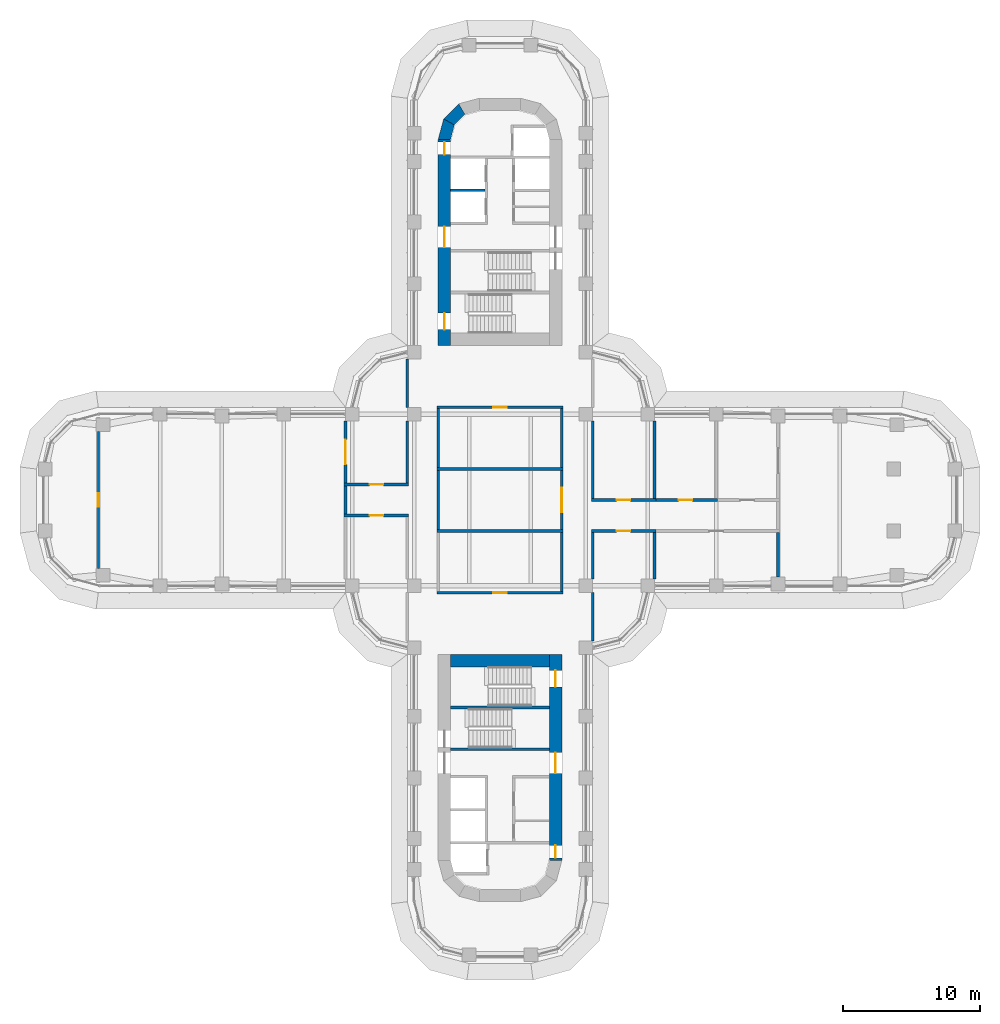
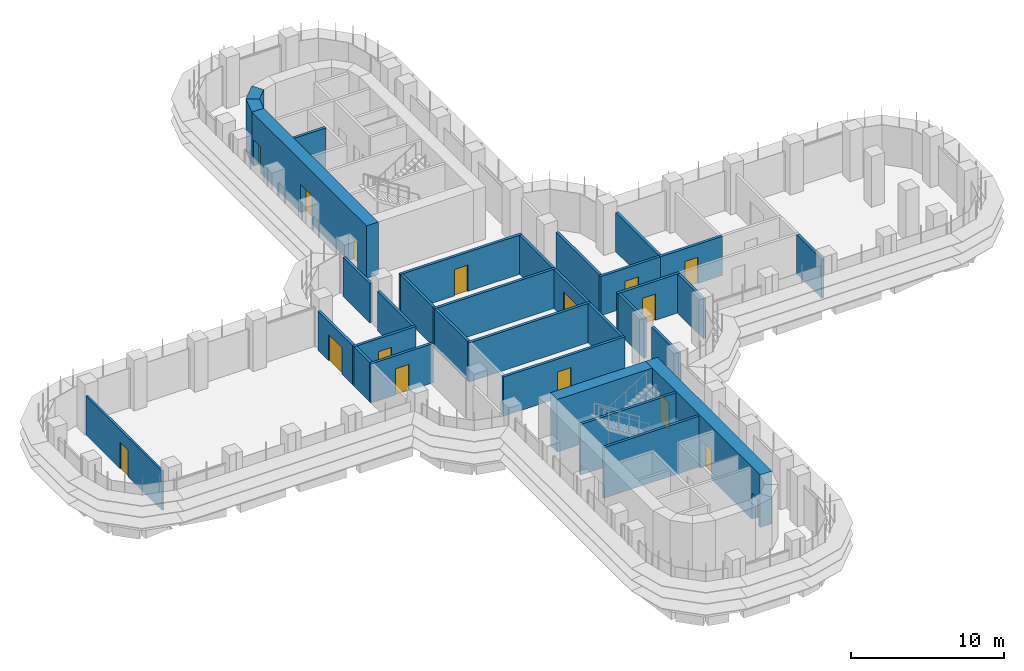
# One storey, part 17 of 23: 33 walls, 16 doors, 16 openings.
"""IFC4 building model written with IfcOpenShell, lengths in metres."""

from ifc_helpers import new_model, si_unit, direction, frame, frame_2d, origin, place, context, subcontext, project, spatial, polyline, rectangle, outline, extrude, material, layer, layer_set, type_object, element, fill, save


model = new_model("IFC4")

# Units and contexts
model_context = context("Model", 3, precision=1e-05, world=origin(), true_north=direction((0.0, 1.0)))
body_context = subcontext(model_context, "Body", "Model", "MODEL_VIEW")
ifc_project = project(units=[si_unit("LENGTHUNIT", "METRE"), si_unit("AREAUNIT", "SQUARE_METRE"), si_unit("VOLUMEUNIT", "CUBIC_METRE"), si_unit("PLANEANGLEUNIT", "RADIAN"), si_unit("MASSUNIT", "GRAM", prefix="KILO")], contexts=[model_context])

# Site, building, storey
site_placement = place(None, origin())
site = spatial("IfcSite", under=ifc_project, at=site_placement, CompositionType="ELEMENT")
building_placement = place(site_placement, origin())
building = spatial("IfcBuilding", under=site, at=building_placement, Name="Zarbagh Exchange Tower", CompositionType="ELEMENT")
storey_placement = place(building_placement, frame((0.0, 0.0, 73.199951171875)))
storey = spatial("IfcBuildingStorey", under=building, at=storey_placement, Name="L16", CompositionType="ELEMENT", Elevation=73.199951171875)

# Wall, opening, door
ifc_material_1 = material(Name="Plasterboard partition")
ifc_layer_1 = layer(ifc_material_1, 0.14990234375)
ifc_layer_set_1 = layer_set([ifc_layer_1], Name="PARTITION 150")
wall_type_1 = type_object("IfcWallType", Name="PARTITION 150", PredefinedType="PARTITIONING", material=ifc_layer_set_1)
wall_1_placement = place(storey_placement, frame((-29.25, -4.97509765625, 0.0), z_axis=(0.0, 0.0, 1.0), x_axis=(0.0, 1.0, 0.0)))
wall_1 = element("IfcWall", 1, at=wall_1_placement, inside=storey, type_object=wall_type_1, Name="Partition W-535", PredefinedType="PARTITIONING", context=body_context, shape_type="SweptSolid", body=[
    extrude(rectangle(XDim=9.9501953125, YDim=0.14990234375, at=frame_2d((4.97509765625, 0.0))), origin(), (0.0, 0.0, 1.0), 3.130615234375),
])
opening_1_placement = place(wall_1_placement, frame((4.47509765625, 0.0, 0.0)))
opening_1 = element("IfcOpeningElement", 2, at=opening_1_placement, cuts=wall_1, Name="Opening D-510", PredefinedType="OPENING", context=body_context, shape_type="SweptSolid", body=[
    extrude(rectangle(XDim=1.0, YDim=2.10009765625, at=frame_2d((0.5, 1.050048828125))), frame((0.0, 0.0849609375, 0.0), z_axis=(0.0, -1.0, 0.0), x_axis=(1.0, 0.0, 0.0)), (0.0, 0.0, 1.0), 0.169921875),
])
ifc_material_2 = material(Name="Timber door leaf", Category="wood")
door_type_1 = type_object("IfcDoorType", Name="DOOR 1000 X 2100", OperationType="NOTDEFINED", PredefinedType="DOOR", material=ifc_material_2)
door_1_placement = place(opening_1_placement, origin())
door_1 = element("IfcDoor", 3, at=door_1_placement, inside=storey, type_object=door_type_1, Name="Door D-510", OperationType="SINGLE_SWING_RIGHT", OverallHeight=2.10009765625, OverallWidth=1.0, PredefinedType="DOOR", context=body_context, shape_type="SweptSolid", body=[
    extrude(rectangle(XDim=1.0, YDim=2.10009765625, at=frame_2d((0.5, 1.050048828125))), frame((0.0, 0.02490234375, 0.0), z_axis=(0.0, -1.0, 0.0), x_axis=(1.0, 0.0, 0.0)), (0.0, 0.0, 1.0), 0.050048828125),
])
fill(opening_1, door_1)

# Walls
ifc_material_3 = material(Name="Fire-rated plasterboard partition")
ifc_layer_2 = layer(ifc_material_3, 0.199951171875)
ifc_layer_set_2 = layer_set([ifc_layer_2], Name="RATED PARTITION 200")
wall_type_2 = type_object("IfcWallType", Name="RATED PARTITION 200", PredefinedType="PARTITIONING", material=ifc_layer_set_2)
for number, where, z_axis, x_axis, name in (
    (4, (-4.5, 2.35009765625, 0.0), (0.0, 0.0, 1.0), (0.0, 1.0, 0.0), "Partition W-501"),
    (5, (-4.5, -2.14990234375, 0.0), (0.0, 0.0, 1.0), (0.0, 1.0, 0.0), "Partition W-502"),
):
    element("IfcWall", number, at=place(storey_placement, frame(where, z_axis=z_axis, x_axis=x_axis)), inside=storey, type_object=wall_type_2, Name=name, PredefinedType="PARTITIONING", context=body_context, shape_type="SweptSolid", body=[
        extrude(rectangle(XDim=4.2998046875, YDim=0.199951171875, at=frame_2d((2.14990234375, 0.0))), origin(), (0.0, 0.0, 1.0), 3.130615234375),
    ])
wall_2_placement = place(storey_placement, frame((-6.75, 1.22509765625, 0.0), z_axis=(0.0, 0.0, 1.0), x_axis=(0.0, 1.0, 0.0)))
element("IfcWall", 6, at=wall_2_placement, inside=storey, type_object=wall_type_2, Name="Partition W-504", PredefinedType="PARTITIONING", context=body_context, shape_type="SweptSolid", body=[
    extrude(rectangle(XDim=4.52490234375, YDim=0.199951171875, at=frame_2d((2.262451171875, 0.0))), origin(), (0.0, 0.0, 1.0), 3.130615234375),
])
wall_3_placement = place(storey_placement, frame((-6.75, 6.75, 0.0), z_axis=(0.0, 0.0, 1.0), x_axis=(0.0, 1.0, 0.0)))
element("IfcWall", 7, at=wall_3_placement, inside=storey, type_object=wall_type_2, Name="Partition W-505", PredefinedType="PARTITIONING", context=body_context, shape_type="SweptSolid", body=[
    extrude(rectangle(XDim=3.5, YDim=0.199951171875, at=frame_2d((1.75, 0.0))), origin(), (0.0, 0.0, 1.0), 3.130615234375),
])
wall_4_placement = place(storey_placement, frame((4.5, 2.35009765625, 0.0), z_axis=(0.0, 0.0, 1.0), x_axis=(0.0, 1.0, 0.0)))
element("IfcWall", 8, at=wall_4_placement, inside=storey, type_object=wall_type_2, Name="Partition W-508", PredefinedType="PARTITIONING", context=body_context, shape_type="SweptSolid", body=[
    extrude(rectangle(XDim=4.2998046875, YDim=0.199951171875, at=frame_2d((2.14990234375, 0.0))), origin(), (0.0, 0.0, 1.0), 3.130615234375),
])

# Wall, opening, door
wall_5_placement = place(storey_placement, frame((4.5, -2.14990234375, 0.0), z_axis=(0.0, 0.0, 1.0), x_axis=(0.0, 1.0, 0.0)))
wall_5 = element("IfcWall", 9, at=wall_5_placement, inside=storey, type_object=wall_type_2, Name="Partition W-509", PredefinedType="PARTITIONING", context=body_context, shape_type="SweptSolid", body=[
    extrude(rectangle(XDim=4.2998046875, YDim=0.199951171875, at=frame_2d((2.14990234375, 0.0))), origin(), (0.0, 0.0, 1.0), 3.130615234375),
])
opening_2_placement = place(wall_5_placement, frame((1.25, 0.0, 0.0)))
opening_2 = element("IfcOpeningElement", 10, at=opening_2_placement, cuts=wall_5, Name="Opening D-501", PredefinedType="OPENING", context=body_context, shape_type="SweptSolid", body=[
    extrude(rectangle(XDim=1.800048828125, YDim=2.10009765625, at=frame_2d((0.89990234375, 1.050048828125))), frame((0.0, 0.10986328125, 0.0), z_axis=(0.0, -1.0, 0.0), x_axis=(1.0, 0.0, 0.0)), (0.0, 0.0, 1.0), 0.219970703125),
])
ifc_material_4 = material(Name="Steel door set", Category="steel")
door_type_2 = type_object("IfcDoorType", Name="FIRE DOUBLE DOOR 1800 X 2100 FD30S", OperationType="DOUBLE_DOOR_SINGLE_SWING", PredefinedType="DOOR", material=ifc_material_4)
door_2_placement = place(opening_2_placement, origin())
door_2 = element("IfcDoor", 11, at=door_2_placement, inside=storey, type_object=door_type_2, Name="Door D-501", OperationType="DOUBLE_DOOR_SINGLE_SWING", OverallHeight=2.10009765625, OverallWidth=1.800048828125, PredefinedType="DOOR", context=body_context, shape_type="SweptSolid", body=[
    extrude(rectangle(XDim=1.800048828125, YDim=2.10009765625, at=frame_2d((0.89990234375, 1.050048828125))), frame((0.0, 0.02490234375, 0.0), z_axis=(0.0, -1.0, 0.0), x_axis=(1.0, 0.0, 0.0)), (0.0, 0.0, 1.0), 0.050048828125),
])
fill(opening_2, door_2)

# Walls
wall_6_placement = place(storey_placement, frame((4.5, -6.64990234375, 0.0), z_axis=(0.0, 0.0, 1.0), x_axis=(0.0, 1.0, 0.0)))
element("IfcWall", 12, at=wall_6_placement, inside=storey, type_object=wall_type_2, Name="Partition W-510", PredefinedType="PARTITIONING", context=body_context, shape_type="SweptSolid", body=[
    extrude(rectangle(XDim=4.2998046875, YDim=0.199951171875, at=frame_2d((2.14990234375, 0.0))), origin(), (0.0, 0.0, 1.0), 3.130615234375),
])
wall_7_placement = place(storey_placement, frame((6.75, 0.10009765625, 0.0), z_axis=(0.0, 0.0, 1.0), x_axis=(0.0, 1.0, 0.0)))
element("IfcWall", 13, at=wall_7_placement, inside=storey, type_object=wall_type_2, Name="Partition W-511", PredefinedType="PARTITIONING", context=body_context, shape_type="SweptSolid", body=[
    extrude(rectangle(XDim=5.64990234375, YDim=0.199951171875, at=frame_2d((2.824951171875, 0.0))), origin(), (0.0, 0.0, 1.0), 3.130615234375),
])
wall_8_placement = place(storey_placement, frame((6.75, -10.25, 0.0), z_axis=(0.0, 0.0, 1.0), x_axis=(0.0, 1.0, 0.0)))
element("IfcWall", 14, at=wall_8_placement, inside=storey, type_object=wall_type_2, Name="Partition W-513", PredefinedType="PARTITIONING", context=body_context, shape_type="SweptSolid", body=[
    extrude(rectangle(XDim=3.5, YDim=0.199951171875, at=frame_2d((1.75, 0.0))), origin(), (0.0, 0.0, 1.0), 3.130615234375),
])
wall_9_placement = place(storey_placement, frame((6.75, -5.75, 0.0), z_axis=(0.0, 0.0, 1.0), x_axis=(0.0, 1.0, 0.0)))
element("IfcWall", 15, at=wall_9_placement, inside=storey, type_object=wall_type_2, Name="Partition W-514", PredefinedType="PARTITIONING", context=body_context, shape_type="SweptSolid", body=[
    extrude(rectangle(XDim=3.39990234375, YDim=0.199951171875, at=frame_2d((1.699951171875, 0.0))), origin(), (0.0, 0.0, 1.0), 3.130615234375),
])

# Wall, opening, door
wall_10_placement = place(storey_placement, frame((4.60009765625, 6.75, 0.0), z_axis=(0.0, 0.0, 1.0), x_axis=(-1.0, 0.0, 0.0)))
wall_10 = element("IfcWall", 16, at=wall_10_placement, inside=storey, type_object=wall_type_2, Name="Partition W-515", PredefinedType="PARTITIONING", context=body_context, shape_type="SweptSolid", body=[
    extrude(rectangle(XDim=9.2001953125, YDim=0.199951171875, at=frame_2d((4.60009765625, 0.0))), origin(), (0.0, 0.0, 1.0), 3.130615234375),
])
opening_3_placement = place(wall_10_placement, frame((4.10009765625, 0.0, 0.0)))
opening_3 = element("IfcOpeningElement", 17, at=opening_3_placement, cuts=wall_10, Name="Opening D-502", PredefinedType="OPENING", context=body_context, shape_type="SweptSolid", body=[
    extrude(rectangle(XDim=1.0, YDim=2.10009765625, at=frame_2d((0.5, 1.050048828125))), frame((0.0, 0.10986328125, 0.0), z_axis=(0.0, -1.0, 0.0), x_axis=(1.0, 0.0, 0.0)), (0.0, 0.0, 1.0), 0.219970703125),
])
door_type_3 = type_object("IfcDoorType", Name="FIRE DOOR 1000 X 2100 FD30S", OperationType="NOTDEFINED", PredefinedType="DOOR", material=ifc_material_4)
door_3_placement = place(opening_3_placement, origin())
door_3 = element("IfcDoor", 18, at=door_3_placement, inside=storey, type_object=door_type_3, Name="Door D-502", OperationType="SINGLE_SWING_RIGHT", OverallHeight=2.10009765625, OverallWidth=1.0, PredefinedType="DOOR", context=body_context, shape_type="SweptSolid", body=[
    extrude(rectangle(XDim=1.0, YDim=2.10009765625, at=frame_2d((0.5, 1.050048828125))), frame((0.0, 0.02490234375, 0.0), z_axis=(0.0, -1.0, 0.0), x_axis=(1.0, 0.0, 0.0)), (0.0, 0.0, 1.0), 0.050048828125),
])
fill(opening_3, door_3)

wall_11_placement = place(storey_placement, frame((-4.60009765625, -6.75, 0.0), z_axis=(0.0, 0.0, 1.0), x_axis=(1.0, 0.0, 0.0)))
wall_11 = element("IfcWall", 19, at=wall_11_placement, inside=storey, type_object=wall_type_2, Name="Partition W-516", PredefinedType="PARTITIONING", context=body_context, shape_type="SweptSolid", body=[
    extrude(rectangle(XDim=9.2001953125, YDim=0.199951171875, at=frame_2d((4.60009765625, 0.0))), origin(), (0.0, 0.0, 1.0), 3.130615234375),
])
opening_4_placement = place(wall_11_placement, frame((4.10009765625, 0.0, 0.0)))
opening_4 = element("IfcOpeningElement", 20, at=opening_4_placement, cuts=wall_11, Name="Opening D-503", PredefinedType="OPENING", context=body_context, shape_type="SweptSolid", body=[
    extrude(rectangle(XDim=1.0, YDim=2.10009765625, at=frame_2d((0.5, 1.050048828125))), frame((0.0, 0.10986328125, 0.0), z_axis=(0.0, -1.0, 0.0), x_axis=(1.0, 0.0, 0.0)), (0.0, 0.0, 1.0), 0.219970703125),
])
door_4_placement = place(opening_4_placement, origin())
door_4 = element("IfcDoor", 21, at=door_4_placement, inside=storey, type_object=door_type_3, Name="Door D-503", OperationType="SINGLE_SWING_RIGHT", OverallHeight=2.10009765625, OverallWidth=1.0, PredefinedType="DOOR", context=body_context, shape_type="SweptSolid", body=[
    extrude(rectangle(XDim=1.0, YDim=2.10009765625, at=frame_2d((0.5, 1.050048828125))), frame((0.0, 0.02490234375, 0.0), z_axis=(0.0, -1.0, 0.0), x_axis=(1.0, 0.0, 0.0)), (0.0, 0.0, 1.0), 0.050048828125),
])
fill(opening_4, door_4)

# Walls
for number, where, z_axis, x_axis, name in (
    (22, (-4.60009765625, 2.25, 0.0), (0.0, 0.0, 1.0), (1.0, 0.0, 0.0), "Partition W-517"),
    (23, (-4.60009765625, -2.25, 0.0), (0.0, 0.0, 1.0), (1.0, 0.0, 0.0), "Partition W-518"),
):
    element("IfcWall", number, at=place(storey_placement, frame(where, z_axis=z_axis, x_axis=x_axis)), inside=storey, type_object=wall_type_2, Name=name, PredefinedType="PARTITIONING", context=body_context, shape_type="SweptSolid", body=[
        extrude(rectangle(XDim=9.2001953125, YDim=0.199951171875, at=frame_2d((4.60009765625, 0.0))), origin(), (0.0, 0.0, 1.0), 3.130615234375),
    ])

# Wall, opening, door
wall_12_placement = place(storey_placement, frame((6.64990234375, 0.0, 0.0), z_axis=(0.0, 0.0, 1.0), x_axis=(1.0, 0.0, 0.0)))
wall_12 = element("IfcWall", 24, at=wall_12_placement, inside=storey, type_object=wall_type_2, Name="Partition W-519", PredefinedType="PARTITIONING", context=body_context, shape_type="SweptSolid", body=[
    extrude(rectangle(XDim=4.7001953125, YDim=0.199951171875, at=frame_2d((2.35009765625, 0.0))), origin(), (0.0, 0.0, 1.0), 3.130615234375),
])
opening_5_placement = place(wall_12_placement, frame((1.85009765625, 0.0, 0.0)))
opening_5 = element("IfcOpeningElement", 25, at=opening_5_placement, cuts=wall_12, Name="Opening D-505", PredefinedType="OPENING", context=body_context, shape_type="SweptSolid", body=[
    extrude(rectangle(XDim=1.0, YDim=2.10009765625, at=frame_2d((0.5, 1.050048828125))), frame((0.0, 0.10986328125, 0.0), z_axis=(0.0, -1.0, 0.0), x_axis=(1.0, 0.0, 0.0)), (0.0, 0.0, 1.0), 0.219970703125),
])
door_5_placement = place(opening_5_placement, origin())
door_5 = element("IfcDoor", 26, at=door_5_placement, inside=storey, type_object=door_type_3, Name="Door D-505", OperationType="SINGLE_SWING_RIGHT", OverallHeight=2.10009765625, OverallWidth=1.0, PredefinedType="DOOR", context=body_context, shape_type="SweptSolid", body=[
    extrude(rectangle(XDim=1.0, YDim=2.10009765625, at=frame_2d((0.5, 1.050048828125))), frame((0.0, 0.02490234375, 0.0), z_axis=(0.0, -1.0, 0.0), x_axis=(1.0, 0.0, 0.0)), (0.0, 0.0, 1.0), 0.050048828125),
])
fill(opening_5, door_5)

wall_13_placement = place(storey_placement, frame((11.35009765625, -2.25, 0.0), z_axis=(0.0, 0.0, 1.0), x_axis=(-1.0, 0.0, 0.0)))
wall_13 = element("IfcWall", 27, at=wall_13_placement, inside=storey, type_object=wall_type_2, Name="Partition W-520", PredefinedType="PARTITIONING", context=body_context, shape_type="SweptSolid", body=[
    extrude(rectangle(XDim=4.7001953125, YDim=0.199951171875, at=frame_2d((2.35009765625, 0.0))), origin(), (0.0, 0.0, 1.0), 3.130615234375),
])
opening_6_placement = place(wall_13_placement, frame((1.85009765625, 0.0, 0.0)))
opening_6 = element("IfcOpeningElement", 28, at=opening_6_placement, cuts=wall_13, Name="Opening D-508", PredefinedType="OPENING", context=body_context, shape_type="SweptSolid", body=[
    extrude(rectangle(XDim=1.0, YDim=2.10009765625, at=frame_2d((0.5, 1.050048828125))), frame((0.0, 0.10986328125, 0.0), z_axis=(0.0, -1.0, 0.0), x_axis=(1.0, 0.0, 0.0)), (0.0, 0.0, 1.0), 0.219970703125),
])
door_6_placement = place(opening_6_placement, origin())
door_6 = element("IfcDoor", 29, at=door_6_placement, inside=storey, type_object=door_type_3, Name="Door D-508", OperationType="SINGLE_SWING_RIGHT", OverallHeight=2.10009765625, OverallWidth=1.0, PredefinedType="DOOR", context=body_context, shape_type="SweptSolid", body=[
    extrude(rectangle(XDim=1.0, YDim=2.10009765625, at=frame_2d((0.5, 1.050048828125))), frame((0.0, 0.02490234375, 0.0), z_axis=(0.0, -1.0, 0.0), x_axis=(1.0, 0.0, 0.0)), (0.0, 0.0, 1.0), 0.050048828125),
])
fill(opening_6, door_6)

wall_14_placement = place(storey_placement, frame((11.14990234375, 0.0, 0.0), z_axis=(0.0, 0.0, 1.0), x_axis=(1.0, 0.0, 0.0)))
wall_14 = element("IfcWall", 30, at=wall_14_placement, inside=storey, type_object=wall_type_2, Name="Partition W-521", PredefinedType="PARTITIONING", context=body_context, shape_type="SweptSolid", body=[
    extrude(rectangle(XDim=4.7001953125, YDim=0.199951171875, at=frame_2d((2.35009765625, 0.0))), origin(), (0.0, 0.0, 1.0), 3.130615234375),
])
opening_7_placement = place(wall_14_placement, frame((1.85009765625, 0.0, 0.0)))
opening_7 = element("IfcOpeningElement", 31, at=opening_7_placement, cuts=wall_14, Name="Opening D-506", PredefinedType="OPENING", context=body_context, shape_type="SweptSolid", body=[
    extrude(rectangle(XDim=1.0, YDim=2.10009765625, at=frame_2d((0.5, 1.050048828125))), frame((0.0, 0.10986328125, 0.0), z_axis=(0.0, -1.0, 0.0), x_axis=(1.0, 0.0, 0.0)), (0.0, 0.0, 1.0), 0.219970703125),
])
door_7_placement = place(opening_7_placement, origin())
door_7 = element("IfcDoor", 32, at=door_7_placement, inside=storey, type_object=door_type_3, Name="Door D-506", OperationType="SINGLE_SWING_RIGHT", OverallHeight=2.10009765625, OverallWidth=1.0, PredefinedType="DOOR", context=body_context, shape_type="SweptSolid", body=[
    extrude(rectangle(XDim=1.0, YDim=2.10009765625, at=frame_2d((0.5, 1.050048828125))), frame((0.0, 0.02490234375, 0.0), z_axis=(0.0, -1.0, 0.0), x_axis=(1.0, 0.0, 0.0)), (0.0, 0.0, 1.0), 0.050048828125),
])
fill(opening_7, door_7)

# Walls
wall_15_placement = place(storey_placement, frame((11.25, 0.10009765625, 0.0), z_axis=(0.0, 0.0, 1.0), x_axis=(0.0, 1.0, 0.0)))
element("IfcWall", 33, at=wall_15_placement, inside=storey, type_object=wall_type_2, Name="Partition W-525", PredefinedType="PARTITIONING", context=body_context, shape_type="SweptSolid", body=[
    extrude(rectangle(XDim=5.64990234375, YDim=0.199951171875, at=frame_2d((2.824951171875, 0.0))), origin(), (0.0, 0.0, 1.0), 3.130615234375),
])
wall_16_placement = place(storey_placement, frame((11.25, -5.75, 0.0), z_axis=(0.0, 0.0, 1.0), x_axis=(0.0, 1.0, 0.0)))
element("IfcWall", 34, at=wall_16_placement, inside=storey, type_object=wall_type_2, Name="Partition W-526", PredefinedType="PARTITIONING", context=body_context, shape_type="SweptSolid", body=[
    extrude(rectangle(XDim=3.39990234375, YDim=0.199951171875, at=frame_2d((1.699951171875, 0.0))), origin(), (0.0, 0.0, 1.0), 3.130615234375),
])
wall_17_placement = place(storey_placement, frame((20.25, -5.610107421875, 0.0), z_axis=(0.0, 0.0, 1.0), x_axis=(0.0, 1.0, 0.0)))
element("IfcWall", 35, at=wall_17_placement, inside=storey, type_object=wall_type_2, Name="Partition W-529", PredefinedType="PARTITIONING", context=body_context, shape_type="SweptSolid", body=[
    extrude(rectangle(XDim=3.260009765625, YDim=0.199951171875, at=frame_2d((1.6298828125, 0.0))), origin(), (0.0, 0.0, 1.0), 3.130615234375),
])

# Wall, opening, door
wall_18_placement = place(storey_placement, frame((-11.35009765625, 1.125, 0.0), z_axis=(0.0, 0.0, 1.0), x_axis=(1.0, 0.0, 0.0)))
wall_18 = element("IfcWall", 36, at=wall_18_placement, inside=storey, type_object=wall_type_2, Name="Partition W-530", PredefinedType="PARTITIONING", context=body_context, shape_type="SweptSolid", body=[
    extrude(rectangle(XDim=4.7001953125, YDim=0.199951171875, at=frame_2d((2.35009765625, 0.0))), origin(), (0.0, 0.0, 1.0), 3.130615234375),
])
opening_8_placement = place(wall_18_placement, frame((1.85009765625, 0.0, 0.0)))
opening_8 = element("IfcOpeningElement", 37, at=opening_8_placement, cuts=wall_18, Name="Opening D-512", PredefinedType="OPENING", context=body_context, shape_type="SweptSolid", body=[
    extrude(rectangle(XDim=1.0, YDim=2.10009765625, at=frame_2d((0.5, 1.050048828125))), frame((0.0, 0.10986328125, 0.0), z_axis=(0.0, -1.0, 0.0), x_axis=(1.0, 0.0, 0.0)), (0.0, 0.0, 1.0), 0.219970703125),
])
door_8_placement = place(opening_8_placement, origin())
door_8 = element("IfcDoor", 38, at=door_8_placement, inside=storey, type_object=door_type_3, Name="Door D-512", OperationType="SINGLE_SWING_RIGHT", OverallHeight=2.10009765625, OverallWidth=1.0, PredefinedType="DOOR", context=body_context, shape_type="SweptSolid", body=[
    extrude(rectangle(XDim=1.0, YDim=2.10009765625, at=frame_2d((0.5, 1.050048828125))), frame((0.0, 0.02490234375, 0.0), z_axis=(0.0, -1.0, 0.0), x_axis=(1.0, 0.0, 0.0)), (0.0, 0.0, 1.0), 0.050048828125),
])
fill(opening_8, door_8)

wall_19_placement = place(storey_placement, frame((-6.64990234375, -1.125, 0.0), z_axis=(0.0, 0.0, 1.0), x_axis=(-1.0, 0.0, 0.0)))
wall_19 = element("IfcWall", 39, at=wall_19_placement, inside=storey, type_object=wall_type_2, Name="Partition W-531", PredefinedType="PARTITIONING", context=body_context, shape_type="SweptSolid", body=[
    extrude(rectangle(XDim=4.7001953125, YDim=0.199951171875, at=frame_2d((2.35009765625, 0.0))), origin(), (0.0, 0.0, 1.0), 3.130615234375),
])
opening_9_placement = place(wall_19_placement, frame((1.85009765625, 0.0, 0.0)))
opening_9 = element("IfcOpeningElement", 40, at=opening_9_placement, cuts=wall_19, Name="Opening D-513", PredefinedType="OPENING", context=body_context, shape_type="SweptSolid", body=[
    extrude(rectangle(XDim=1.0, YDim=2.10009765625, at=frame_2d((0.5, 1.050048828125))), frame((0.0, 0.10986328125, 0.0), z_axis=(0.0, -1.0, 0.0), x_axis=(1.0, 0.0, 0.0)), (0.0, 0.0, 1.0), 0.219970703125),
])
door_9_placement = place(opening_9_placement, origin())
door_9 = element("IfcDoor", 41, at=door_9_placement, inside=storey, type_object=door_type_3, Name="Door D-513", OperationType="SINGLE_SWING_RIGHT", OverallHeight=2.10009765625, OverallWidth=1.0, PredefinedType="DOOR", context=body_context, shape_type="SweptSolid", body=[
    extrude(rectangle(XDim=1.0, YDim=2.10009765625, at=frame_2d((0.5, 1.050048828125))), frame((0.0, 0.02490234375, 0.0), z_axis=(0.0, -1.0, 0.0), x_axis=(1.0, 0.0, 0.0)), (0.0, 0.0, 1.0), 0.050048828125),
])
fill(opening_9, door_9)

# Wall
wall_20_placement = place(storey_placement, frame((-11.25, -1.02490234375, 0.0), z_axis=(0.0, 0.0, 1.0), x_axis=(0.0, 1.0, 0.0)))
element("IfcWall", 42, at=wall_20_placement, inside=storey, type_object=wall_type_2, Name="Partition W-532", PredefinedType="PARTITIONING", context=body_context, shape_type="SweptSolid", body=[
    extrude(rectangle(XDim=2.0498046875, YDim=0.199951171875, at=frame_2d((1.02490234375, 0.0))), origin(), (0.0, 0.0, 1.0), 3.130615234375),
])

# Wall, opening, door
wall_21_placement = place(storey_placement, frame((-11.25, 1.22509765625, 0.0), z_axis=(0.0, 0.0, 1.0), x_axis=(0.0, 1.0, 0.0)))
wall_21 = element("IfcWall", 43, at=wall_21_placement, inside=storey, type_object=wall_type_2, Name="Partition W-533", PredefinedType="PARTITIONING", context=body_context, shape_type="SweptSolid", body=[
    extrude(rectangle(XDim=4.52490234375, YDim=0.199951171875, at=frame_2d((2.262451171875, 0.0))), origin(), (0.0, 0.0, 1.0), 3.130615234375),
])
opening_10_placement = place(wall_21_placement, frame((1.362548828125, 0.0, 0.0)))
opening_10 = element("IfcOpeningElement", 44, at=opening_10_placement, cuts=wall_21, Name="Opening D-511", PredefinedType="OPENING", context=body_context, shape_type="SweptSolid", body=[
    extrude(rectangle(XDim=1.800048828125, YDim=2.10009765625, at=frame_2d((0.89990234375, 1.050048828125))), frame((0.0, 0.10986328125, 0.0), z_axis=(0.0, -1.0, 0.0), x_axis=(1.0, 0.0, 0.0)), (0.0, 0.0, 1.0), 0.219970703125),
])
door_10_placement = place(opening_10_placement, origin())
door_10 = element("IfcDoor", 45, at=door_10_placement, inside=storey, type_object=door_type_2, Name="Door D-511", OperationType="DOUBLE_DOOR_SINGLE_SWING", OverallHeight=2.10009765625, OverallWidth=1.800048828125, PredefinedType="DOOR", context=body_context, shape_type="SweptSolid", body=[
    extrude(rectangle(XDim=1.800048828125, YDim=2.10009765625, at=frame_2d((0.89990234375, 1.050048828125))), frame((0.0, 0.02490234375, 0.0), z_axis=(0.0, -1.0, 0.0), x_axis=(1.0, 0.0, 0.0)), (0.0, 0.0, 1.0), 0.050048828125),
])
fill(opening_10, door_10)

# Walls
ifc_material_5 = material(Name="Concrete C60/75", Category="concrete")
ifc_layer_3 = layer(ifc_material_5, 0.89990234375)
ifc_layer_set_3 = layer_set([ifc_layer_3], Name="RC core corner wall 900 C60/75")
wall_type_3 = type_object("IfcWallType", Name="RC core corner wall 900 C60/75", PredefinedType="SHEAR", material=ifc_layer_set_3)
wall_22_placement = place(storey_placement, origin())
element("IfcWall", 46, at=wall_22_placement, inside=storey, type_object=wall_type_3, Name="CW2 core N corner W", PredefinedType="SHEAR", context=body_context, shape_type="SweptSolid", body=[
    extrude(outline(polyline([(-4.5, 26.25), (-4.09814453125, 27.75), (-3.318603515625, 27.300048828125), (-3.60009765625, 26.25), (-4.5, 26.25)])), origin(), (0.0, 0.0, 1.0), 4.199951171875),
])
wall_23_placement = place(storey_placement, origin())
element("IfcWall", 47, at=wall_23_placement, inside=storey, type_object=wall_type_3, Name="CW2 core N corner W", PredefinedType="SHEAR", context=body_context, shape_type="SweptSolid", body=[
    extrude(outline(polyline([(-4.09814453125, 27.75), (-3.0, 28.84814453125), (-2.550048828125, 28.068603515625), (-3.318603515625, 27.300048828125), (-4.09814453125, 27.75)])), origin(), (0.0, 0.0, 1.0), 4.199951171875),
])

# Wall, openings, doors
ifc_layer_4 = layer(ifc_material_5, 0.89990234375)
ifc_layer_set_4 = layer_set([ifc_layer_4], Name="RC core wall 900 C60/75")
wall_type_4 = type_object("IfcWallType", Name="RC core wall 900 C60/75", PredefinedType="SHEAR", material=ifc_layer_set_4)
wall_24_placement = place(storey_placement, frame((-4.050048828125, 11.25, 0.0), z_axis=(0.0, 0.0, 1.0), x_axis=(0.0, 1.0, 0.0)))
wall_24 = element("IfcWall", 48, at=wall_24_placement, inside=storey, type_object=wall_type_4, Name="CW1 core N W", PredefinedType="SHEAR", context=body_context, shape_type="SweptSolid", body=[
    extrude(rectangle(XDim=15.0, YDim=0.89990234375, at=frame_2d((7.5, 0.0))), origin(), (0.0, 0.0, 1.0), 4.199951171875),
])
opening_11_placement = place(wall_24_placement, frame((7.14990234375, 0.0, 0.0)))
opening_11 = element("IfcOpeningElement", 49, at=opening_11_placement, cuts=wall_24, Name="Opening CD1-1500", PredefinedType="OPENING", context=body_context, shape_type="SweptSolid", body=[
    extrude(rectangle(XDim=1.5, YDim=2.300048828125, at=frame_2d((0.75, 1.14990234375))), frame((0.0, 0.4599609375, 0.0), z_axis=(0.0, -1.0, 0.0), x_axis=(1.0, 0.0, 0.0)), (0.0, 0.0, 1.0), 0.919921875),
])
opening_12_placement = place(wall_24_placement, frame((13.89990234375, 0.0, 0.0)))
opening_12 = element("IfcOpeningElement", 50, at=opening_12_placement, cuts=wall_24, Name="Opening CD2-900", PredefinedType="OPENING", context=body_context, shape_type="SweptSolid", body=[
    extrude(rectangle(XDim=0.89990234375, YDim=2.10009765625, at=frame_2d((0.449951171875, 1.050048828125))), frame((0.0, 0.4599609375, 0.0), z_axis=(0.0, -1.0, 0.0), x_axis=(1.0, 0.0, 0.0)), (0.0, 0.0, 1.0), 0.919921875),
])
opening_13_placement = place(wall_24_placement, frame((1.14990234375, 0.0, 0.0)))
opening_13 = element("IfcOpeningElement", 51, at=opening_13_placement, cuts=wall_24, Name="Opening SD1-1200", PredefinedType="OPENING", context=body_context, shape_type="SweptSolid", body=[
    extrude(rectangle(XDim=1.199951171875, YDim=2.10009765625, at=frame_2d((0.60009765625, 1.050048828125))), frame((0.0, 0.4599609375, 0.0), z_axis=(0.0, -1.0, 0.0), x_axis=(1.0, 0.0, 0.0)), (0.0, 0.0, 1.0), 0.919921875),
])
ifc_material_6 = material(Name="Steel", Category="steel")
door_type_4 = type_object("IfcDoorType", Name="Exit stair door 1200 x 2100", OperationType="NOTDEFINED", PredefinedType="DOOR", material=ifc_material_6)
door_11_placement = place(opening_13_placement, origin())
door_11 = element("IfcDoor", 52, at=door_11_placement, inside=storey, type_object=door_type_4, Name="North core stair door ST2", OperationType="SINGLE_SWING_RIGHT", OverallHeight=2.10009765625, OverallWidth=1.199951171875, PredefinedType="DOOR", context=body_context, shape_type="SweptSolid", body=[
    extrude(rectangle(XDim=1.199951171875, YDim=2.10009765625, at=frame_2d((0.60009765625, 1.050048828125))), frame((0.0, 0.02490234375, 0.0), z_axis=(0.0, -1.0, 0.0), x_axis=(1.0, 0.0, 0.0)), (0.0, 0.0, 1.0), 0.050048828125),
])
fill(opening_13, door_11)
door_type_5 = type_object("IfcDoorType", Name="Firefighting lobby door 900 x 2100", OperationType="NOTDEFINED", PredefinedType="DOOR", material=ifc_material_6)
door_12_placement = place(opening_12_placement, origin())
door_12 = element("IfcDoor", 53, at=door_12_placement, inside=storey, type_object=door_type_5, Name="North core firefighting lobby door FF-W", OperationType="SINGLE_SWING_LEFT", OverallHeight=2.10009765625, OverallWidth=0.89990234375, PredefinedType="DOOR", context=body_context, shape_type="SweptSolid", body=[
    extrude(rectangle(XDim=0.89990234375, YDim=2.10009765625, at=frame_2d((0.449951171875, 1.050048828125))), frame((0.0, 0.02490234375, 0.0), z_axis=(0.0, -1.0, 0.0), x_axis=(1.0, 0.0, 0.0)), (0.0, 0.0, 1.0), 0.050048828125),
])
fill(opening_12, door_12)
door_type_6 = type_object("IfcDoorType", Name="Lift lobby double door 1500 x 2300", OperationType="NOTDEFINED", PredefinedType="DOOR", material=ifc_material_6)
door_13_placement = place(opening_11_placement, origin())
door_13 = element("IfcDoor", 54, at=door_13_placement, inside=storey, type_object=door_type_6, Name="North core lift lobby door LOBBY-W", OperationType="DOUBLE_DOOR_SINGLE_SWING", OverallHeight=2.300048828125, OverallWidth=1.5, PredefinedType="DOOR", context=body_context, shape_type="SweptSolid", body=[
    extrude(rectangle(XDim=1.5, YDim=2.300048828125, at=frame_2d((0.75, 1.14990234375))), frame((0.0, 0.02490234375, 0.0), z_axis=(0.0, -1.0, 0.0), x_axis=(1.0, 0.0, 0.0)), (0.0, 0.0, 1.0), 0.050048828125),
])
fill(opening_11, door_13)

wall_25_placement = place(storey_placement, frame((4.050048828125, -11.25, 0.0), z_axis=(0.0, 0.0, 1.0), x_axis=(0.0, -1.0, 0.0)))
wall_25 = element("IfcWall", 55, at=wall_25_placement, inside=storey, type_object=wall_type_4, Name="CW1 core S E", PredefinedType="SHEAR", context=body_context, shape_type="SweptSolid", body=[
    extrude(rectangle(XDim=15.0, YDim=0.89990234375, at=frame_2d((7.5, 0.0))), origin(), (0.0, 0.0, 1.0), 4.199951171875),
])
opening_14_placement = place(wall_25_placement, frame((7.14990234375, 0.0, 0.0)))
opening_14 = element("IfcOpeningElement", 56, at=opening_14_placement, cuts=wall_25, Name="Opening CD1-1500", PredefinedType="OPENING", context=body_context, shape_type="SweptSolid", body=[
    extrude(rectangle(XDim=1.5, YDim=2.300048828125, at=frame_2d((0.75, 1.14990234375))), frame((0.0, 0.4599609375, 0.0), z_axis=(0.0, -1.0, 0.0), x_axis=(1.0, 0.0, 0.0)), (0.0, 0.0, 1.0), 0.919921875),
])
opening_15_placement = place(wall_25_placement, frame((13.89990234375, 0.0, 0.0)))
opening_15 = element("IfcOpeningElement", 57, at=opening_15_placement, cuts=wall_25, Name="Opening CD2-900", PredefinedType="OPENING", context=body_context, shape_type="SweptSolid", body=[
    extrude(rectangle(XDim=0.89990234375, YDim=2.10009765625, at=frame_2d((0.449951171875, 1.050048828125))), frame((0.0, 0.4599609375, 0.0), z_axis=(0.0, -1.0, 0.0), x_axis=(1.0, 0.0, 0.0)), (0.0, 0.0, 1.0), 0.919921875),
])
opening_16_placement = place(wall_25_placement, frame((1.14990234375, 0.0, 0.0)))
opening_16 = element("IfcOpeningElement", 58, at=opening_16_placement, cuts=wall_25, Name="Opening SD1-1200", PredefinedType="OPENING", context=body_context, shape_type="SweptSolid", body=[
    extrude(rectangle(XDim=1.199951171875, YDim=2.10009765625, at=frame_2d((0.60009765625, 1.050048828125))), frame((0.0, 0.4599609375, 0.0), z_axis=(0.0, -1.0, 0.0), x_axis=(1.0, 0.0, 0.0)), (0.0, 0.0, 1.0), 0.919921875),
])
door_14_placement = place(opening_16_placement, origin())
door_14 = element("IfcDoor", 59, at=door_14_placement, inside=storey, type_object=door_type_4, Name="South core stair door ST2", OperationType="SINGLE_SWING_RIGHT", OverallHeight=2.10009765625, OverallWidth=1.199951171875, PredefinedType="DOOR", context=body_context, shape_type="SweptSolid", body=[
    extrude(rectangle(XDim=1.199951171875, YDim=2.10009765625, at=frame_2d((0.60009765625, 1.050048828125))), frame((0.0, 0.02490234375, 0.0), z_axis=(0.0, -1.0, 0.0), x_axis=(1.0, 0.0, 0.0)), (0.0, 0.0, 1.0), 0.050048828125),
])
fill(opening_16, door_14)
door_15_placement = place(opening_15_placement, origin())
door_15 = element("IfcDoor", 60, at=door_15_placement, inside=storey, type_object=door_type_5, Name="South core firefighting lobby door FF-W", OperationType="SINGLE_SWING_RIGHT", OverallHeight=2.10009765625, OverallWidth=0.89990234375, PredefinedType="DOOR", context=body_context, shape_type="SweptSolid", body=[
    extrude(rectangle(XDim=0.89990234375, YDim=2.10009765625, at=frame_2d((0.449951171875, 1.050048828125))), frame((0.0, 0.02490234375, 0.0), z_axis=(0.0, -1.0, 0.0), x_axis=(1.0, 0.0, 0.0)), (0.0, 0.0, 1.0), 0.050048828125),
])
fill(opening_15, door_15)
door_16_placement = place(opening_14_placement, origin())
door_16 = element("IfcDoor", 61, at=door_16_placement, inside=storey, type_object=door_type_6, Name="South core lift lobby door LOBBY-W", OperationType="DOUBLE_DOOR_SINGLE_SWING", OverallHeight=2.300048828125, OverallWidth=1.5, PredefinedType="DOOR", context=body_context, shape_type="SweptSolid", body=[
    extrude(rectangle(XDim=1.5, YDim=2.300048828125, at=frame_2d((0.75, 1.14990234375))), frame((0.0, 0.02490234375, 0.0), z_axis=(0.0, -1.0, 0.0), x_axis=(1.0, 0.0, 0.0)), (0.0, 0.0, 1.0), 0.050048828125),
])
fill(opening_14, door_16)

# Walls
wall_26_placement = place(storey_placement, frame((-3.60009765625, -11.699951171875, 0.0), z_axis=(0.0, 0.0, 1.0), x_axis=(1.0, 0.0, 0.0)))
element("IfcWall", 62, at=wall_26_placement, inside=storey, type_object=wall_type_4, Name="CW1 core S inner end", PredefinedType="SHEAR", context=body_context, shape_type="SweptSolid", body=[
    extrude(rectangle(XDim=7.2001953125, YDim=0.89990234375, at=frame_2d((3.60009765625, 0.0))), origin(), (0.0, 0.0, 1.0), 4.199951171875),
])
ifc_material_7 = material(Name="Dense blockwork", Category="masonry")
ifc_layer_5 = layer(ifc_material_7, 0.199951171875)
ifc_layer_set_5 = layer_set([ifc_layer_5], Name="Shaft wall 200 mm blockwork")
wall_type_5 = type_object("IfcWallType", Name="Shaft wall 200 mm blockwork", PredefinedType="PARTITIONING", material=ifc_layer_set_5)
wall_27_placement = place(storey_placement, frame((-3.60009765625, 22.550048828125, 0.0), z_axis=(0.0, 0.0, 1.0), x_axis=(1.0, 0.0, 0.0)))
element("IfcWall", 63, at=wall_27_placement, inside=storey, type_object=wall_type_5, Name="North core shaft wall TR-W", PredefinedType="PARTITIONING", context=body_context, shape_type="SweptSolid", body=[
    extrude(rectangle(XDim=2.5, YDim=0.199951171875, at=frame_2d((1.25, 0.0))), origin(), (0.0, 0.0, 1.0), 4.050048828125),
])
ifc_material_8 = material(Name="Concrete C40/50", Category="concrete")
ifc_layer_6 = layer(ifc_material_8, 0.199951171875)
ifc_layer_set_6 = layer_set([ifc_layer_6], Name="Stair enclosure wall 200 mm RC C40/50")
wall_type_6 = type_object("IfcWallType", Name="Stair enclosure wall 200 mm RC C40/50", PredefinedType="SHEAR", material=ifc_layer_set_6)
for number, where, z_axis, x_axis, name in (
    (64, (3.60009765625, -18.14990234375, 0.0), (0.0, 0.0, 1.0), (-1.0, 0.0, 0.0), "South core stair wall BS"),
    (65, (3.60009765625, -15.10009765625, 0.0), (0.0, 0.0, 1.0), (-1.0, 0.0, 0.0), "South core stair wall ST12"),
):
    element("IfcWall", number, at=place(storey_placement, frame(where, z_axis=z_axis, x_axis=x_axis)), inside=storey, type_object=wall_type_6, Name=name, PredefinedType="SHEAR", context=body_context, shape_type="SweptSolid", body=[
        extrude(rectangle(XDim=7.2001953125, YDim=0.199951171875, at=frame_2d((3.60009765625, 0.0))), origin(), (0.0, 0.0, 1.0), 4.050048828125),
    ])

save(model, "model.ifc")
